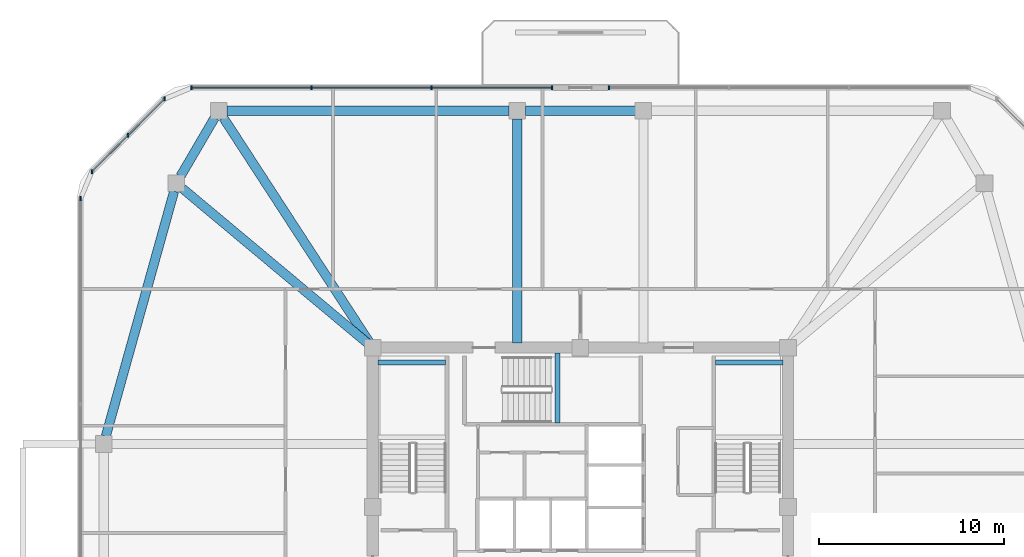
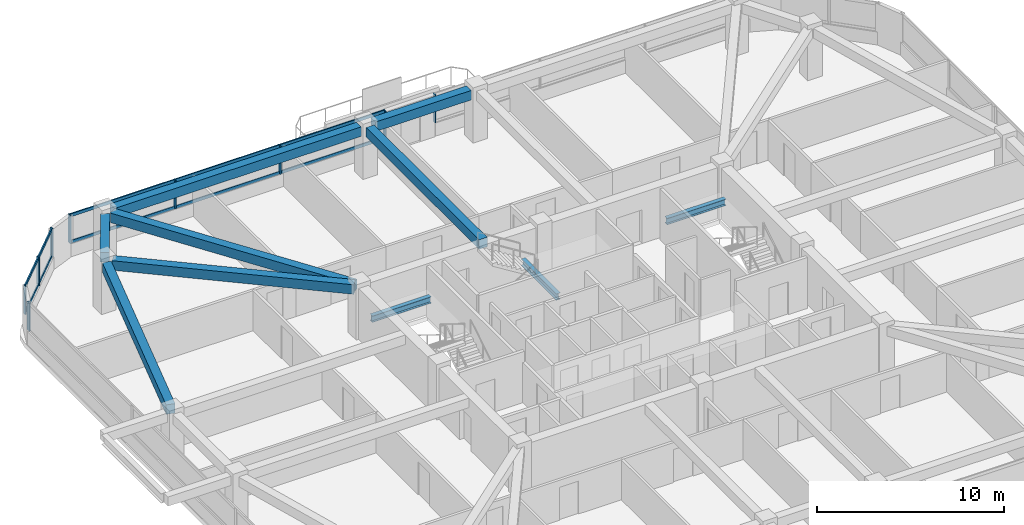
# One storey, part 6 of 14: 13 members, 10 beams, 4 elements without a shape of their own.
"""IFC4 building model written with IfcOpenShell, lengths in metres."""

import ifcopenshell
import ifcopenshell.guid

model = None  # the IFC model being written
_history = None  # IfcOwnerHistory: only IFC2X3 demands one
_inside = {}  # id of a spatial element -> (the spatial element, [elements in it])
_under = {}  # id of a project, library or spatial element -> (it, [spatial elements below it])
_declared = {}  # id of a project -> (the project, [libraries it declares])
_typed = {}  # id of a type object -> (the type object, [elements of that type])
_made_of = {}  # id of a material, layer set ... -> (it, [elements and type objects made of it])


def new_model(schema):
    """Start an empty IFC model of exactly this schema.

    Asked for "IFC4X3", IfcOpenShell would pick the latest addendum, in which some entities
    have other attributes; the version numbers below select the first issue.
    IFC2X3 requires an IfcOwnerHistory on every rooted entity: one is made here for all.
    """
    global model, _history
    if schema == "IFC4X3":
        model = ifcopenshell.file(schema_version=(4, 3, 0, 0))
    else:
        model = ifcopenshell.file(schema=schema)
    _inside.clear()
    _under.clear()
    _declared.clear()
    _typed.clear()
    _made_of.clear()
    _history = None
    if model.schema == "IFC2X3":
        org = make("IfcOrganization", Name="unknown")
        user = make(
            "IfcPersonAndOrganization",
            ThePerson=make("IfcPerson", FamilyName="unknown"),
            TheOrganization=org,
        )
        app = make(
            "IfcApplication",
            ApplicationDeveloper=org,
            Version="unknown",
            ApplicationFullName="unknown",
            ApplicationIdentifier="unknown",
        )
        _history = make(
            "IfcOwnerHistory",
            OwningUser=user,
            OwningApplication=app,
            ChangeAction="ADDED",
            CreationDate=0,
        )
    return model


def make(cls, **values):
    """One entity of the class cls with the attributes given. An attribute that is None is left unset."""
    return model.create_entity(
        cls, **{name: value for name, value in values.items() if value is not None}
    )


def rooted(cls, **values):
    """An entity with a GlobalId (a new one), such as an element, a storey or a relation."""
    return make(cls, GlobalId=ifcopenshell.guid.new(), OwnerHistory=_history, **values)


def si_unit(unit_type, name, prefix=None):
    """IfcSIUnit, for example si_unit("LENGTHUNIT", "METRE", prefix="MILLI")."""
    return make("IfcSIUnit", UnitType=unit_type, Prefix=prefix, Name=name)


def derived_unit(unit_type, elements):
    """IfcDerivedUnit: a product of units, each with its exponent."""
    return make(
        "IfcDerivedUnit",
        Elements=[
            make("IfcDerivedUnitElement", Unit=unit, Exponent=power)
            for unit, power in elements
        ],
        UnitType=unit_type,
    )


def assignment(units):
    """IfcUnitAssignment: the units of a project."""
    return None if units is None else make("IfcUnitAssignment", Units=units)


def point(xyz):
    """IfcCartesianPoint."""
    return None if xyz is None else make("IfcCartesianPoint", Coordinates=xyz)


def direction(xyz):
    """IfcDirection."""
    return None if xyz is None else make("IfcDirection", DirectionRatios=xyz)


def frame(location, z_axis=None, x_axis=None):
    """IfcAxis2Placement3D, a coordinate frame: its origin and axes. An axis left out is left unset."""
    return make(
        "IfcAxis2Placement3D",
        Location=point(location),
        Axis=direction(z_axis),
        RefDirection=direction(x_axis),
    )


def frame_2d(location, x_axis=None):
    """IfcAxis2Placement2D, a coordinate frame in the plane: its origin and x axis."""
    return make(
        "IfcAxis2Placement2D", Location=point(location), RefDirection=direction(x_axis)
    )


def origin():
    """The frame at (0, 0, 0) with its axes left unset."""
    return frame((0.0, 0.0, 0.0))


def origin_2d():
    """The frame at (0, 0) in the plane with its x axis left unset."""
    return frame_2d((0.0, 0.0))


def place(relative_to, where):
    """IfcLocalPlacement: puts the frame where relative to a parent placement (None: the world)."""
    return make(
        "IfcLocalPlacement", PlacementRelTo=relative_to, RelativePlacement=where
    )


def context(
    kind, dimensions, precision=None, world=None, true_north=None, identifier=None
):
    """IfcGeometricRepresentationContext, for example the 3D "Model" context."""
    return make(
        "IfcGeometricRepresentationContext",
        ContextIdentifier=identifier,
        ContextType=kind,
        CoordinateSpaceDimension=dimensions,
        Precision=precision,
        WorldCoordinateSystem=world,
        TrueNorth=true_north,
    )


def subcontext(parent, identifier, kind, view, scale=None):
    """IfcGeometricRepresentationSubContext, for example "Body" below "Model"."""
    return make(
        "IfcGeometricRepresentationSubContext",
        ContextIdentifier=identifier,
        ContextType=kind,
        ParentContext=parent,
        TargetScale=scale,
        TargetView=view,
    )


def project(units=None, contexts=None):
    """IfcProject with its units and contexts."""
    return rooted(
        "IfcProject",
        Name="project",
        RepresentationContexts=contexts,
        UnitsInContext=assignment(units),
    )


def spatial(cls, under=None, at=None, **own):
    """A site, building, storey or space (cls), placed at a placement, below another one or the project."""
    s = rooted(cls, ObjectPlacement=at, **own)
    if under is not None:
        _under.setdefault(under.id(), (under, []))[1].append(s)
    return s


def profile(cls, at=None, kind="AREA", **sizes):
    """A parametric profile (cls). Its sizes go by their IFC names, for example OverallWidth=200.0."""
    return make(cls, ProfileType=kind, Position=at, **sizes)


def rectangle(**sizes):
    """IfcRectangleProfileDef."""
    return profile("IfcRectangleProfileDef", **sizes)


def i_section(**sizes):
    """IfcIShapeProfileDef."""
    return profile("IfcIShapeProfileDef", **sizes)


def extrude(swept, where, along, depth):
    """IfcExtrudedAreaSolid: the profile swept, set in the frame where, extruded along a direction by depth."""
    return make(
        "IfcExtrudedAreaSolid",
        SweptArea=swept,
        Position=where,
        ExtrudedDirection=direction(along),
        Depth=depth,
    )


def shape(context_of_items, identifier, shape_type, items):
    """IfcShapeRepresentation: the items that make up one representation, for example the "Body"."""
    return make(
        "IfcShapeRepresentation",
        ContextOfItems=context_of_items,
        RepresentationIdentifier=identifier,
        RepresentationType=shape_type,
        Items=items,
    )


def material(Name=None, Category=None):
    """IfcMaterial."""
    return make("IfcMaterial", Name=Name, Category=Category)


def material_profile(
    of_material, cross_section, Name=None, Category=None, Priority=None
):
    """IfcMaterialProfile: a cross section and its material."""
    return make(
        "IfcMaterialProfile",
        Name=Name,
        Material=of_material,
        Profile=cross_section,
        Priority=Priority,
        Category=Category,
    )


def profile_set(profiles, Name=None, composite=None):
    """IfcMaterialProfileSet."""
    return make(
        "IfcMaterialProfileSet",
        Name=Name,
        MaterialProfiles=profiles,
        CompositeProfile=composite,
    )


def made_of(thing, what):
    """Note that an element or type object is made of a material, layer set ...; save() writes the relation."""
    if what is not None:
        _made_of.setdefault(what.id(), (what, []))[1].append(thing)
    return thing


def type_object(cls, material=None, **own):
    """A type object (cls), such as IfcWallType, which elements share."""
    return made_of(rooted(cls, **own), material)


def element(
    cls,
    number,
    at=None,
    inside=None,
    cuts=None,
    type_object=None,
    material=None,
    context=None,
    identifier="Body",
    shape_type=None,
    held_by="IfcProductDefinitionShape",
    body=None,
    shapes=None,
    **own,
):
    """One element of the class cls, such as IfcWall. Its Tag is "e" and its number.

    at: its placement. inside: the storey or other place that contains it. cuts: it is an
    opening in that element (IfcRelVoidsElement). A single representation is given by context,
    identifier, shape_type and body (its items); several are given by shapes. held_by: the class
    of the entity that holds the representations. save() writes the other relations.
    """
    e = rooted(cls, Tag="e%d" % number, ObjectPlacement=at, **own)
    if body is not None:
        shapes = [shape(context, identifier, shape_type, body)]
    if shapes is not None:
        e.Representation = make(held_by, Representations=shapes)
    if inside is not None:
        _inside.setdefault(inside.id(), (inside, []))[1].append(e)
    if cuts is not None:
        rooted(
            "IfcRelVoidsElement", RelatingBuildingElement=cuts, RelatedOpeningElement=e
        )
    if type_object is not None:
        _typed.setdefault(type_object.id(), (type_object, []))[1].append(e)
    return made_of(e, material)


def aggregate(whole, parts):
    """IfcRelAggregates: a whole, such as a stair, and the parts it consists of."""
    return rooted("IfcRelAggregates", RelatingObject=whole, RelatedObjects=parts)


def save(model, path):
    """Write the relations noted so far, then the file.

    IfcRelAggregates (storeys below a building ...), IfcRelContainedInSpatialStructure (elements
    in a storey), IfcRelDefinesByType, IfcRelAssociatesMaterial and IfcRelDeclares: one each for
    every whole, place, type object, material and project.
    """
    for whole, parts in _under.values():
        aggregate(whole, parts)
    for where, things in _inside.values():
        rooted(
            "IfcRelContainedInSpatialStructure",
            RelatedElements=things,
            RelatingStructure=where,
        )
    for kind, things in _typed.values():
        rooted("IfcRelDefinesByType", RelatedObjects=things, RelatingType=kind)
    for what, things in _made_of.values():
        rooted("IfcRelAssociatesMaterial", RelatedObjects=things, RelatingMaterial=what)
    for by, libraries in _declared.values():
        rooted("IfcRelDeclares", RelatingContext=by, RelatedDefinitions=libraries)
    model.write(path)


model = new_model("IFC4")

# Units and contexts
model_context = context("Model", 3, precision=1e-05, world=origin(), true_north=direction((0.0, 1.0)))
body_context = subcontext(model_context, "Body", "Model", "MODEL_VIEW")
ifc_project = project(units=[si_unit("LENGTHUNIT", "METRE"), si_unit("AREAUNIT", "SQUARE_METRE"), si_unit("VOLUMEUNIT", "CUBIC_METRE"), si_unit("PLANEANGLEUNIT", "RADIAN"), si_unit("MASSUNIT", "GRAM", prefix="KILO"), derived_unit("THERMALTRANSMITTANCEUNIT", [(si_unit("POWERUNIT", "WATT"), 1), (si_unit("LENGTHUNIT", "METRE"), -2), (si_unit("THERMODYNAMICTEMPERATUREUNIT", "KELVIN"), -1)])], contexts=[model_context])

# Site, building, storey
site_placement = place(None, origin())
site = spatial("IfcSite", under=ifc_project, at=site_placement, CompositionType="ELEMENT")
building_placement = place(site_placement, origin())
building = spatial("IfcBuilding", under=site, at=building_placement, Name="Koralith Skygarden Medical Center", CompositionType="ELEMENT")
storey_placement = place(building_placement, frame((0.0, 0.0, 225.179931640625)))
storey = spatial("IfcBuildingStorey", under=building, at=storey_placement, Name="L58", CompositionType="ELEMENT", Elevation=225.179931640625)

# Curtain wall, member
ifc_material_1 = material(Name="Clear Laminated Glass", Category="glass")
curtain_wall_type = type_object("IfcCurtainWallType", Name="CW-5 Zone 4 Flare Biophilic Curtain Wall", PredefinedType="NOTDEFINED", material=ifc_material_1)
curtain_wall_1_placement = place(storey_placement, origin())
curtain_wall_1 = element("IfcCurtainWall", 1, at=curtain_wall_1_placement, inside=storey, type_object=curtain_wall_type, Name="Curtain Wall CW-L58-N-L", PredefinedType="NOTDEFINED")
ifc_material_2 = material(Name="Aluminium 6063-T6", Category="aluminium")
ifc_material_profile_1 = material_profile(ifc_material_2, rectangle(XDim=0.080078125, YDim=0.219970703125, at=origin_2d()), Name="MUL80X220")
ifc_profile_set_1 = profile_set([ifc_material_profile_1], Name="Aluminium 6063-T6")
member_type_1 = type_object("IfcMemberType", Name="CW-5 Extruded Mullion 80x220", PredefinedType="MULLION", material=ifc_profile_set_1)
member_1_placement = place(storey_placement, frame((38.541015625, 48.52001953125, 0.85009765625), z_axis=(0.0, 0.0, 1.0), x_axis=(1.0, 0.0, 0.0)))
member_1 = element("IfcMember", 2, at=member_1_placement, type_object=member_type_1, Name="CW-L58-N-L Mullion 4", PredefinedType="MULLION", context=body_context, shape_type="SweptSolid", body=[
    extrude(rectangle(XDim=0.080078125, YDim=0.219970703125, at=origin_2d()), origin(), (0.0, 0.0, 1.0), 1.840087890625),
])
aggregate(curtain_wall_1, [member_1])

# Curtain wall, members
curtain_wall_2_placement = place(storey_placement, origin())
curtain_wall_2 = element("IfcCurtainWall", 3, at=curtain_wall_2_placement, inside=storey, type_object=curtain_wall_type, Name="Curtain Wall CW-L58-N-R", PredefinedType="NOTDEFINED")
member_2_placement = place(storey_placement, frame((35.4609375, 48.52001953125, 0.85009765625), z_axis=(0.0, 0.0, 1.0), x_axis=(1.0, 0.0, 0.0)))
member_2 = element("IfcMember", 4, at=member_2_placement, type_object=member_type_1, Name="CW-L58-N-R Mullion 1", PredefinedType="MULLION", context=body_context, shape_type="SweptSolid", body=[
    extrude(rectangle(XDim=0.080078125, YDim=0.219970703125, at=origin_2d()), origin(), (0.0, 0.0, 1.0), 1.840087890625),
])
member_3_placement = place(storey_placement, frame((28.97802734375, 48.52001953125, 0.85009765625), z_axis=(0.0, 0.0, 1.0), x_axis=(1.0, 0.0, 0.0)))
member_3 = element("IfcMember", 5, at=member_3_placement, type_object=member_type_1, Name="CW-L58-N-R Mullion 2", PredefinedType="MULLION", context=body_context, shape_type="SweptSolid", body=[
    extrude(rectangle(XDim=0.080078125, YDim=0.219970703125, at=origin_2d()), origin(), (0.0, 0.0, 1.0), 1.840087890625),
])
member_4_placement = place(storey_placement, frame((22.49609375, 48.52001953125, 0.85009765625), z_axis=(0.0, 0.0, 1.0), x_axis=(1.0, 0.0, 0.0)))
member_4 = element("IfcMember", 6, at=member_4_placement, type_object=member_type_1, Name="CW-L58-N-R Mullion 3", PredefinedType="MULLION", context=body_context, shape_type="SweptSolid", body=[
    extrude(rectangle(XDim=0.080078125, YDim=0.219970703125, at=origin_2d()), origin(), (0.0, 0.0, 1.0), 1.840087890625),
])
member_5_placement = place(storey_placement, frame((16.012939453125, 48.52001953125, 0.85009765625), z_axis=(0.0, 0.0, 1.0), x_axis=(1.0, 0.0, 0.0)))
member_5 = element("IfcMember", 7, at=member_5_placement, type_object=member_type_1, Name="CW-L58-N-R Mullion 4", PredefinedType="MULLION", context=body_context, shape_type="SweptSolid", body=[
    extrude(rectangle(XDim=0.080078125, YDim=0.219970703125, at=origin_2d()), origin(), (0.0, 0.0, 1.0), 1.840087890625),
])

curtain_wall_3_placement = place(storey_placement, origin())
curtain_wall_3 = element("IfcCurtainWall", 8, at=curtain_wall_3_placement, inside=storey, type_object=curtain_wall_type, Name="Curtain Wall CW-L58-NW", PredefinedType="NOTDEFINED")
member_6_placement = place(storey_placement, frame((14.56201171875, 47.9189453125, 0.85009765625), z_axis=(0.0, 0.0, 1.0), x_axis=(1.0, 0.0, 0.0)))
member_6 = element("IfcMember", 9, at=member_6_placement, type_object=member_type_1, Name="CW-L58-NW Mullion 1", PredefinedType="MULLION", context=body_context, shape_type="SweptSolid", body=[
    extrude(rectangle(XDim=0.080078125, YDim=0.219970703125, at=origin_2d()), origin(), (0.0, 0.0, 1.0), 1.840087890625),
])
member_7_placement = place(storey_placement, frame((12.60107421875, 45.95703125, 0.85009765625), z_axis=(0.0, 0.0, 1.0), x_axis=(1.0, 0.0, 0.0)))
member_7 = element("IfcMember", 10, at=member_7_placement, type_object=member_type_1, Name="CW-L58-NW Mullion 2", PredefinedType="MULLION", context=body_context, shape_type="SweptSolid", body=[
    extrude(rectangle(XDim=0.080078125, YDim=0.219970703125, at=origin_2d()), origin(), (0.0, 0.0, 1.0), 1.840087890625),
])
member_8_placement = place(storey_placement, frame((10.638916015625, 43.99609375, 0.85009765625), z_axis=(0.0, 0.0, 1.0), x_axis=(1.0, 0.0, 0.0)))
member_8 = element("IfcMember", 11, at=member_8_placement, type_object=member_type_1, Name="CW-L58-NW Mullion 3", PredefinedType="MULLION", context=body_context, shape_type="SweptSolid", body=[
    extrude(rectangle(XDim=0.080078125, YDim=0.219970703125, at=origin_2d()), origin(), (0.0, 0.0, 1.0), 1.840087890625),
])

# Curtain wall, member
curtain_wall_4_placement = place(storey_placement, origin())
curtain_wall_4 = element("IfcCurtainWall", 12, at=curtain_wall_4_placement, inside=storey, type_object=curtain_wall_type, Name="Curtain Wall CW-L58-W", PredefinedType="NOTDEFINED")
member_9_placement = place(storey_placement, frame((10.0380859375, 42.544921875, 0.85009765625), z_axis=(0.0, 0.0, 1.0), x_axis=(1.0, 0.0, 0.0)))
member_9 = element("IfcMember", 13, at=member_9_placement, type_object=member_type_1, Name="CW-L58-W Mullion 1", PredefinedType="MULLION", context=body_context, shape_type="SweptSolid", body=[
    extrude(rectangle(XDim=0.080078125, YDim=0.219970703125, at=origin_2d()), origin(), (0.0, 0.0, 1.0), 1.840087890625),
])
aggregate(curtain_wall_4, [member_9])

# Member
ifc_material_profile_2 = material_profile(ifc_material_2, rectangle(XDim=0.074951171875, YDim=0.197998046875, at=origin_2d()), Name="TRN75X198")
ifc_profile_set_2 = profile_set([ifc_material_profile_2], Name="Aluminium 6063-T6")
member_type_2 = type_object("IfcMemberType", Name="CW-5 Thermal Transom 75x198", PredefinedType="USERDEFINED", material=ifc_profile_set_2)
member_10_placement = place(storey_placement, frame((35.4609375, 48.52001953125, 0.900146484375), z_axis=(-1.0, 0.0, 0.0), x_axis=(0.0, -1.0, 0.0)))
member_10 = element("IfcMember", 14, at=member_10_placement, type_object=member_type_2, Name="CW-L58-N-R Transom 1", ObjectType="TRANSOM", PredefinedType="USERDEFINED", context=body_context, shape_type="SweptSolid", body=[
    extrude(rectangle(XDim=0.074951171875, YDim=0.197998046875, at=origin_2d()), origin(), (0.0, 0.0, 1.0), 19.447998046875),
])

member_11_placement = place(storey_placement, frame((35.4609375, 48.52001953125, 2.64013671875), z_axis=(-1.0, 0.0, 0.0), x_axis=(0.0, -1.0, 0.0)))
member_11 = element("IfcMember", 15, at=member_11_placement, type_object=member_type_2, Name="CW-L58-N-R Transom 2", ObjectType="TRANSOM", PredefinedType="USERDEFINED", context=body_context, shape_type="SweptSolid", body=[
    extrude(rectangle(XDim=0.074951171875, YDim=0.197998046875, at=origin_2d()), origin(), (0.0, 0.0, 1.0), 19.447998046875),
])

aggregate(curtain_wall_2, [member_2, member_3, member_4, member_5, member_10, member_11])

member_12_placement = place(storey_placement, frame((14.56201171875, 47.9189453125, 0.900146484375), z_axis=(-0.707128783731, -0.707084777957, 0.0), x_axis=(0.707084777957, -0.707128783731, 0.0)))
member_12 = element("IfcMember", 16, at=member_12_placement, type_object=member_type_2, Name="CW-L58-NW Transom 1", ObjectType="TRANSOM", PredefinedType="USERDEFINED", context=body_context, shape_type="SweptSolid", body=[
    extrude(rectangle(XDim=0.074951171875, YDim=0.197998046875, at=origin_2d()), origin(), (0.0, 0.0, 1.0), 5.5478515625),
])

member_13_placement = place(storey_placement, frame((14.56201171875, 47.9189453125, 2.64013671875), z_axis=(-0.707128783731, -0.707084777957, 0.0), x_axis=(0.707084777957, -0.707128783731, 0.0)))
member_13 = element("IfcMember", 17, at=member_13_placement, type_object=member_type_2, Name="CW-L58-NW Transom 2", ObjectType="TRANSOM", PredefinedType="USERDEFINED", context=body_context, shape_type="SweptSolid", body=[
    extrude(rectangle(XDim=0.074951171875, YDim=0.197998046875, at=origin_2d()), origin(), (0.0, 0.0, 1.0), 5.5478515625),
])

aggregate(curtain_wall_3, [member_6, member_7, member_8, member_12, member_13])

# Beams
ifc_material_3 = material(Name="Steel ASTM A992 Grade 50", Category="steel")
ifc_material_profile_3 = material_profile(ifc_material_3, i_section(OverallWidth=0.260009765625, OverallDepth=0.4150390625, WebThickness=0.010009765625, FlangeThickness=0.016845703125, at=origin_2d()), Name="W16X67")
ifc_profile_set_3 = profile_set([ifc_material_profile_3], Name="Steel ASTM A992 Grade 50")
beam_type_1 = type_object("IfcBeamType", Name="Clinical Floor Joist W16X67", PredefinedType="JOIST", material=ifc_profile_set_3)
for number, where, z_axis, x_axis, name in (
    (18, (26.080078125, 33.699951171875, 1.39208984375), (1.0, 0.0, 0.0), (0.0, 1.0, 0.0), "L58 Stair ST1 Half-Landing Support Beam 1B"),
    (19, (44.280029296875, 33.699951171875, 1.39208984375), (1.0, 0.0, 0.0), (0.0, 1.0, 0.0), "L58 Stair ST2 Half-Landing Support Beam 1B"),
):
    element("IfcBeam", number, at=place(storey_placement, frame(where, z_axis=z_axis, x_axis=x_axis)), inside=storey, type_object=beam_type_1, Name=name, PredefinedType="JOIST", context=body_context, shape_type="SweptSolid", body=[
        extrude(i_section(OverallWidth=0.260009765625, OverallDepth=0.4150390625, WebThickness=0.010009765625, FlangeThickness=0.016845703125, at=origin_2d()), origin(), (0.0, 0.0, 1.0), 3.639892578125),
    ])
beam_1_placement = place(storey_placement, frame((35.760009765625, 30.43994140625, 1.39208984375), z_axis=(0.0, 1.0, 0.0), x_axis=(-1.0, 0.0, 0.0)))
element("IfcBeam", 20, at=beam_1_placement, inside=storey, type_object=beam_type_1, Name="L58 Stair ST3 Half-Landing Support Beam 1A", PredefinedType="JOIST", context=body_context, shape_type="SweptSolid", body=[
    extrude(i_section(OverallWidth=0.260009765625, OverallDepth=0.4150390625, WebThickness=0.010009765625, FlangeThickness=0.016845703125, at=origin_2d()), origin(), (0.0, 0.0, 1.0), 3.780029296875),
])
ifc_material_4 = material(Name="Concrete C45/55", Category="concrete")
ifc_material_profile_4 = material_profile(ifc_material_4, rectangle(XDim=0.5, YDim=0.6201171875, at=origin_2d()), Name="RCB500X620")
ifc_profile_set_4 = profile_set([ifc_material_profile_4], Name="Concrete C45/55")
beam_type_2 = type_object("IfcBeamType", Name="Upper Radial Collector Beam RCB500X620", PredefinedType="BEAM", material=ifc_profile_set_4)
beam_2_placement = place(storey_placement, frame((33.60009765625, 34.75, 3.010009765625), z_axis=(0.0, 1.0, 0.0), x_axis=(-1.0, 0.0, 0.0)))
element("IfcBeam", 21, at=beam_2_placement, inside=storey, type_object=beam_type_2, Name="L58 Radial Collector Beam RB-13", PredefinedType="BEAM", context=body_context, shape_type="SweptSolid", body=[
    extrude(rectangle(XDim=0.5, YDim=0.6201171875, at=origin_2d()), origin(), (0.0, 0.0, 1.0), 12.090087890625),
])
beam_3_placement = place(storey_placement, frame((25.6640625, 34.7099609375, 3.010009765625), z_axis=(-0.545156385215, 0.838334369842, 0.0), x_axis=(-0.838334369842, -0.545156385215, 0.0)))
element("IfcBeam", 22, at=beam_3_placement, inside=storey, type_object=beam_type_2, Name="L58 Radial Collector Beam RB-14", PredefinedType="BEAM", context=body_context, shape_type="SweptSolid", body=[
    extrude(rectangle(XDim=0.5, YDim=0.6201171875, at=origin_2d()), origin(), (0.0, 0.0, 1.0), 14.5537109375),
])
beam_4_placement = place(storey_placement, frame((25.60791015625, 34.659912109375, 3.010009765625), z_axis=(-0.767298159165, 0.64129052304, 0.0), x_axis=(-0.64129052304, -0.767298159165, 0.0)))
element("IfcBeam", 23, at=beam_4_placement, inside=storey, type_object=beam_type_2, Name="L58 Radial Collector Beam RB-15", PredefinedType="BEAM", context=body_context, shape_type="SweptSolid", body=[
    extrude(rectangle(XDim=0.5, YDim=0.6201171875, at=origin_2d()), origin(), (0.0, 0.0, 1.0), 13.126708984375),
])
ifc_material_profile_5 = material_profile(ifc_material_4, rectangle(XDim=0.5, YDim=0.6201171875, at=origin_2d()), Name="RCB500X620")
ifc_profile_set_5 = profile_set([ifc_material_profile_5], Name="Concrete C45/55")
beam_type_3 = type_object("IfcBeamType", Name="Zone 4-5 Spandrel Beam RCB500X620", PredefinedType="SPANDREL", material=ifc_profile_set_5)
beam_5_placement = place(storey_placement, frame((39.9599609375, 47.280029296875, 3.010009765625), z_axis=(-1.0, 0.0, 0.0), x_axis=(0.0, -1.0, 0.0)))
element("IfcBeam", 24, at=beam_5_placement, inside=storey, type_object=beam_type_3, Name="L58 Perimeter Spandrel Beam SP-12", PredefinedType="SPANDREL", context=body_context, shape_type="SweptSolid", body=[
    extrude(rectangle(XDim=0.5, YDim=0.6201171875, at=origin_2d()), origin(), (0.0, 0.0, 1.0), 5.919921875),
])
beam_6_placement = place(storey_placement, frame((33.159912109375, 47.280029296875, 3.010009765625), z_axis=(-1.0, 0.0, 0.0), x_axis=(0.0, -1.0, 0.0)))
element("IfcBeam", 25, at=beam_6_placement, inside=storey, type_object=beam_type_3, Name="L58 Perimeter Spandrel Beam SP-13", PredefinedType="SPANDREL", context=body_context, shape_type="SweptSolid", body=[
    extrude(rectangle(XDim=0.5, YDim=0.6201171875, at=origin_2d()), origin(), (0.0, 0.0, 1.0), 15.22998046875),
])
beam_7_placement = place(storey_placement, frame((17.26806640625, 46.89990234375, 3.010009765625), z_axis=(-0.504861750403, -0.863200216045, 0.0), x_axis=(0.863200216045, -0.504861750403, 0.0)))
element("IfcBeam", 26, at=beam_7_placement, inside=storey, type_object=beam_type_3, Name="L58 Perimeter Spandrel Beam SP-14", PredefinedType="SPANDREL", context=body_context, shape_type="SweptSolid", body=[
    extrude(rectangle(XDim=0.5, YDim=0.6201171875, at=origin_2d()), origin(), (0.0, 0.0, 1.0), 3.66064453125),
])
beam_8_placement = place(storey_placement, frame((15.080078125, 42.93603515625, 3.010009765625), z_axis=(-0.26859849356, -0.96325222515, 0.0), x_axis=(0.96325222515, -0.26859849356, 0.0)))
element("IfcBeam", 27, at=beam_8_placement, inside=storey, type_object=beam_type_3, Name="L58 Perimeter Spandrel Beam SP-15", PredefinedType="SPANDREL", context=body_context, shape_type="SweptSolid", body=[
    extrude(rectangle(XDim=0.5, YDim=0.6201171875, at=origin_2d()), origin(), (0.0, 0.0, 1.0), 13.716064453125),
])

save(model, "model.ifc")
